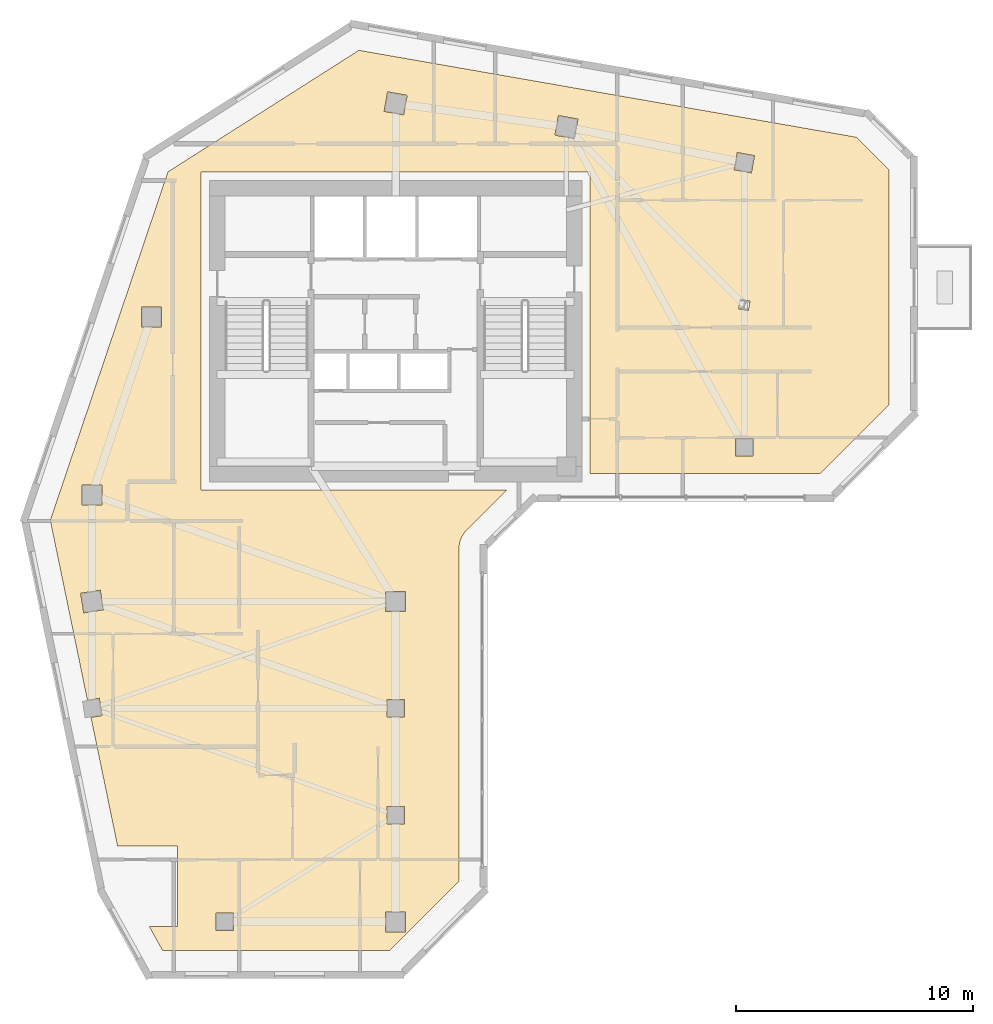
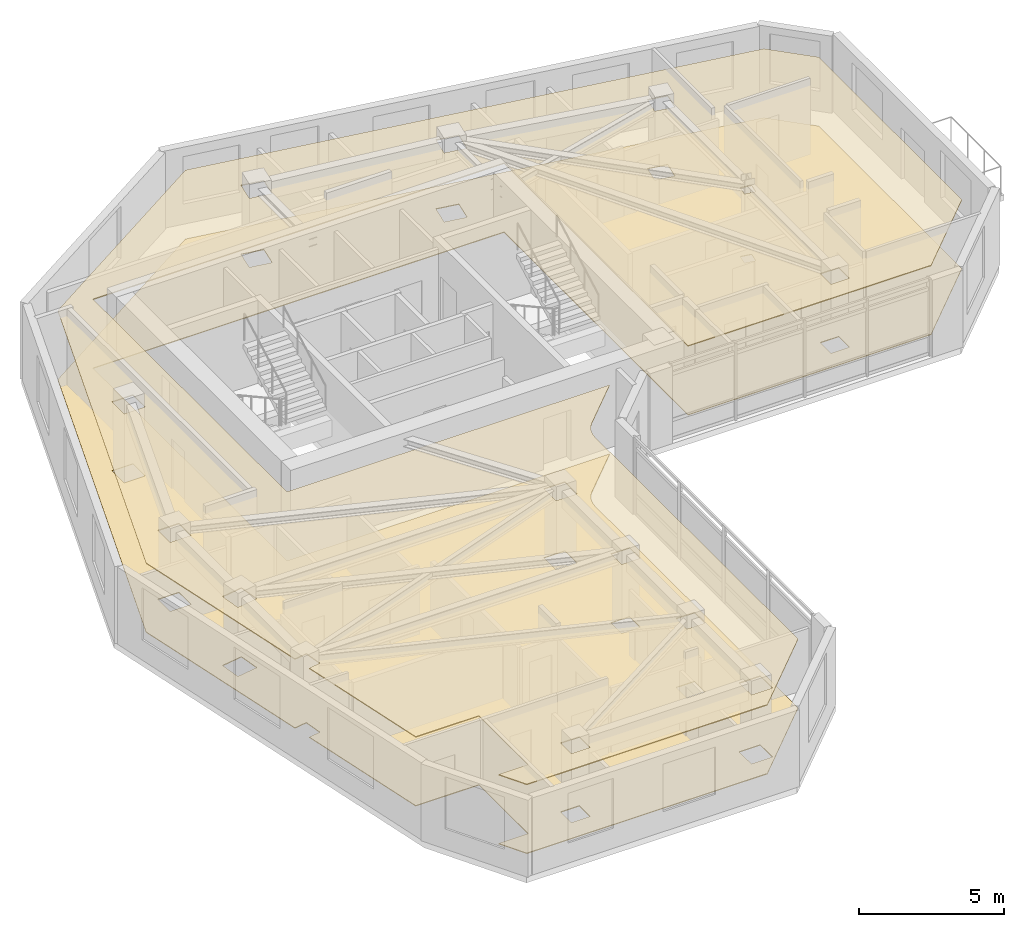
# One storey, part 9 of 10: 2 coverings.
"""IFC4 building model written with IfcOpenShell, lengths in metres."""

from ifc_helpers import new_model, si_unit, direction, frame, origin, place, context, subcontext, project, spatial, polyline, outline, extrude, material, layer, layer_set, type_object, element, save


model = new_model("IFC4")

# Units and contexts
model_context = context("Model", 3, precision=1e-05, world=origin(), true_north=direction((0.0, 1.0)))
body_context = subcontext(model_context, "Body", "Model", "MODEL_VIEW")
ifc_project = project(units=[si_unit("LENGTHUNIT", "METRE"), si_unit("AREAUNIT", "SQUARE_METRE"), si_unit("VOLUMEUNIT", "CUBIC_METRE"), si_unit("PLANEANGLEUNIT", "RADIAN"), si_unit("MASSUNIT", "GRAM", prefix="KILO")], contexts=[model_context])

# Site, building, storey
site_placement = place(None, origin())
site = spatial("IfcSite", under=ifc_project, at=site_placement, CompositionType="ELEMENT")
building_placement = place(site_placement, origin())
building = spatial("IfcBuilding", under=site, at=building_placement, Name="Calvemar Wedge Station Tower", CompositionType="ELEMENT")
storey_placement = place(building_placement, frame((0.0, 0.0, 218.39990234375)))
storey = spatial("IfcBuildingStorey", under=building, at=storey_placement, Name="L55", CompositionType="ELEMENT", Elevation=218.39990234375)

# Coverings
ifc_material_1 = material(Name="Acoustic mineral fibre ceiling board")
ifc_layer_1 = layer(ifc_material_1, 0.0400390625)
ifc_layer_set_1 = layer_set([ifc_layer_1], Name="Acoustic mineral fibre ceiling board")
covering_type_1 = type_object("IfcCoveringType", Name="COV-CEIL-ACOUSTIC", PredefinedType="CEILING", material=ifc_layer_set_1)
covering_1_placement = place(storey_placement, frame((0.0, 0.0, 2.900146484375)))
element("IfcCovering", 1, at=covering_1_placement, inside=storey, type_object=covering_type_1, Name="Storey L55 Acoustic Suspended Ceiling", PredefinedType="CEILING", context=body_context, shape_type="SweptSolid", body=[
    extrude(outline(polyline([(26.666259765625, 31.358642578125), (26.736328125, 31.453369140625), (26.8154296875, 31.54052734375), (28.474853515625, 33.199951171875), (15.60009765625, 33.199951171875), (15.60009765625, 46.60009765625), (32.0, 46.60009765625), (32.0, 33.89208984375), (41.702880859375, 33.89208984375), (44.60009765625, 36.7890625), (44.60009765625, 46.69482421875), (43.2197265625, 48.0751953125), (22.251708984375, 51.73779296875), (14.201416015625, 46.614990234375), (9.240966796875, 31.92431640625), (10.806884765625, 24.34375), (11.306884765625, 24.423828125), (11.423828125, 23.693115234375), (10.956787109375, 23.618408203125), (12.076171875, 18.199951171875), (14.60009765625, 18.199951171875), (14.60009765625, 14.800048828125), (13.41455078125, 14.800048828125), (13.97021484375, 13.800048828125), (23.56689453125, 13.800048828125), (26.464111328125, 16.697021484375), (26.464111328125, 30.69189453125), (26.4697265625, 30.8095703125), (26.487060546875, 30.926025390625), (26.515625, 31.040283203125), (26.555419921875, 31.151123046875), (26.605712890625, 31.2578125), (26.666259765625, 31.358642578125)]), holes=[polyline([(11.419921875, 33.419921875), (11.419921875, 32.580078125), (10.580078125, 32.580078125), (10.580078125, 33.419921875), (11.419921875, 33.419921875)]), polyline([(13.919921875, 40.080078125), (13.080078125, 40.080078125), (13.080078125, 40.919921875), (13.919921875, 40.919921875), (13.919921875, 40.080078125)]), polyline([(23.312255859375, 49.160888671875), (23.4609375, 49.98779296875), (24.28759765625, 49.839111328125), (24.138916015625, 49.01220703125), (23.312255859375, 49.160888671875)]), polyline([(30.660888671875, 48.98779296875), (31.48779296875, 48.839111328125), (31.339111328125, 48.01220703125), (30.51220703125, 48.160888671875), (30.660888671875, 48.98779296875)]), polyline([(38.9296875, 47.298583984375), (38.798583984375, 46.5703125), (38.0703125, 46.701416015625), (38.201416015625, 47.4296875), (38.9296875, 47.298583984375)]), polyline([(38.8701171875, 34.6298828125), (38.1298828125, 34.6298828125), (38.1298828125, 35.3701171875), (38.8701171875, 35.3701171875), (38.8701171875, 34.6298828125)]), polyline([(38.259765625, 40.833984375), (38.332763671875, 41.239501953125), (38.740234375, 41.166015625), (38.667236328125, 40.760498046875), (38.259765625, 40.833984375)]), polyline([(11.348388671875, 28.981201171875), (11.481201171875, 28.151611328125), (10.651611328125, 28.018798828125), (10.518798828125, 28.848388671875), (11.348388671875, 28.981201171875)]), polyline([(24.219970703125, 28.080078125), (23.3798828125, 28.080078125), (23.3798828125, 28.919921875), (24.219970703125, 28.919921875), (24.219970703125, 28.080078125)]), polyline([(23.429931640625, 23.6298828125), (23.429931640625, 24.3701171875), (24.169921875, 24.3701171875), (24.169921875, 23.6298828125), (23.429931640625, 23.6298828125)]), polyline([(23.429931640625, 19.8701171875), (24.169921875, 19.8701171875), (24.169921875, 19.1298828125), (23.429931640625, 19.1298828125), (23.429931640625, 19.8701171875)]), polyline([(24.219970703125, 15.419921875), (24.219970703125, 14.580078125), (23.3798828125, 14.580078125), (23.3798828125, 15.419921875), (24.219970703125, 15.419921875)]), polyline([(16.969970703125, 14.6298828125), (16.22998046875, 14.6298828125), (16.22998046875, 15.3701171875), (16.969970703125, 15.3701171875), (16.969970703125, 14.6298828125)])]), origin(), (0.0, 0.0, 1.0), 0.0400390625),
])
ifc_material_2 = material(Name="Honed coastal granite stone tile", Category="masonry")
ifc_layer_2 = layer(ifc_material_2, 0.030029296875)
ifc_layer_set_2 = layer_set([ifc_layer_2], Name="Honed coastal granite stone tile")
covering_type_2 = type_object("IfcCoveringType", Name="COV-FLR-STONE", PredefinedType="FLOORING", material=ifc_layer_set_2)
covering_2_placement = place(storey_placement, origin())
element("IfcCovering", 2, at=covering_2_placement, inside=storey, type_object=covering_type_2, Name="Storey L55 Architectural Floor Finish", PredefinedType="FLOORING", context=body_context, shape_type="SweptSolid", body=[
    extrude(outline(polyline([(26.666259765625, 31.358642578125), (26.736328125, 31.453369140625), (26.8154296875, 31.54052734375), (28.474853515625, 33.199951171875), (15.60009765625, 33.199951171875), (15.60009765625, 46.60009765625), (32.0, 46.60009765625), (32.0, 33.89208984375), (41.702880859375, 33.89208984375), (44.60009765625, 36.7890625), (44.60009765625, 46.69482421875), (43.2197265625, 48.0751953125), (22.251708984375, 51.73779296875), (14.201416015625, 46.614990234375), (9.240966796875, 31.92431640625), (10.806884765625, 24.34375), (11.306884765625, 24.423828125), (11.423828125, 23.693115234375), (10.956787109375, 23.618408203125), (12.076171875, 18.199951171875), (14.60009765625, 18.199951171875), (14.60009765625, 14.800048828125), (13.41455078125, 14.800048828125), (13.97021484375, 13.800048828125), (23.56689453125, 13.800048828125), (26.464111328125, 16.697021484375), (26.464111328125, 30.69189453125), (26.4697265625, 30.8095703125), (26.487060546875, 30.926025390625), (26.515625, 31.040283203125), (26.555419921875, 31.151123046875), (26.605712890625, 31.2578125), (26.666259765625, 31.358642578125)]), holes=[polyline([(11.419921875, 33.419921875), (11.419921875, 32.580078125), (10.580078125, 32.580078125), (10.580078125, 33.419921875), (11.419921875, 33.419921875)]), polyline([(13.919921875, 40.080078125), (13.080078125, 40.080078125), (13.080078125, 40.919921875), (13.919921875, 40.919921875), (13.919921875, 40.080078125)]), polyline([(23.312255859375, 49.160888671875), (23.4609375, 49.98779296875), (24.28759765625, 49.839111328125), (24.138916015625, 49.01220703125), (23.312255859375, 49.160888671875)]), polyline([(30.660888671875, 48.98779296875), (31.48779296875, 48.839111328125), (31.339111328125, 48.01220703125), (30.51220703125, 48.160888671875), (30.660888671875, 48.98779296875)]), polyline([(38.9296875, 47.298583984375), (38.798583984375, 46.5703125), (38.0703125, 46.701416015625), (38.201416015625, 47.4296875), (38.9296875, 47.298583984375)]), polyline([(38.8701171875, 34.6298828125), (38.1298828125, 34.6298828125), (38.1298828125, 35.3701171875), (38.8701171875, 35.3701171875), (38.8701171875, 34.6298828125)]), polyline([(38.259765625, 40.833984375), (38.332763671875, 41.239501953125), (38.740234375, 41.166015625), (38.667236328125, 40.760498046875), (38.259765625, 40.833984375)]), polyline([(11.348388671875, 28.981201171875), (11.481201171875, 28.151611328125), (10.651611328125, 28.018798828125), (10.518798828125, 28.848388671875), (11.348388671875, 28.981201171875)]), polyline([(24.219970703125, 28.080078125), (23.3798828125, 28.080078125), (23.3798828125, 28.919921875), (24.219970703125, 28.919921875), (24.219970703125, 28.080078125)]), polyline([(23.429931640625, 23.6298828125), (23.429931640625, 24.3701171875), (24.169921875, 24.3701171875), (24.169921875, 23.6298828125), (23.429931640625, 23.6298828125)]), polyline([(23.429931640625, 19.8701171875), (24.169921875, 19.8701171875), (24.169921875, 19.1298828125), (23.429931640625, 19.1298828125), (23.429931640625, 19.8701171875)]), polyline([(24.219970703125, 15.419921875), (24.219970703125, 14.580078125), (23.3798828125, 14.580078125), (23.3798828125, 15.419921875), (24.219970703125, 15.419921875)]), polyline([(16.969970703125, 14.6298828125), (16.22998046875, 14.6298828125), (16.22998046875, 15.3701171875), (16.969970703125, 15.3701171875), (16.969970703125, 14.6298828125)])]), origin(), (0.0, 0.0, 1.0), 0.030029296875),
])

save(model, "model.ifc")
